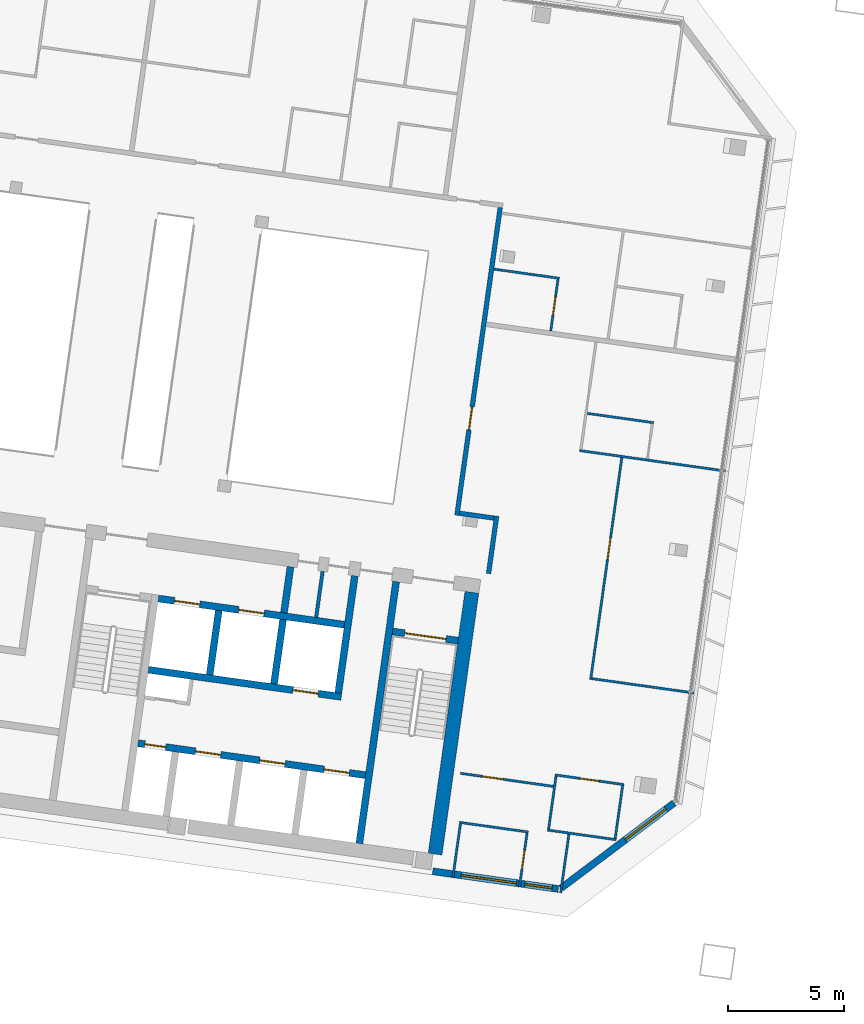
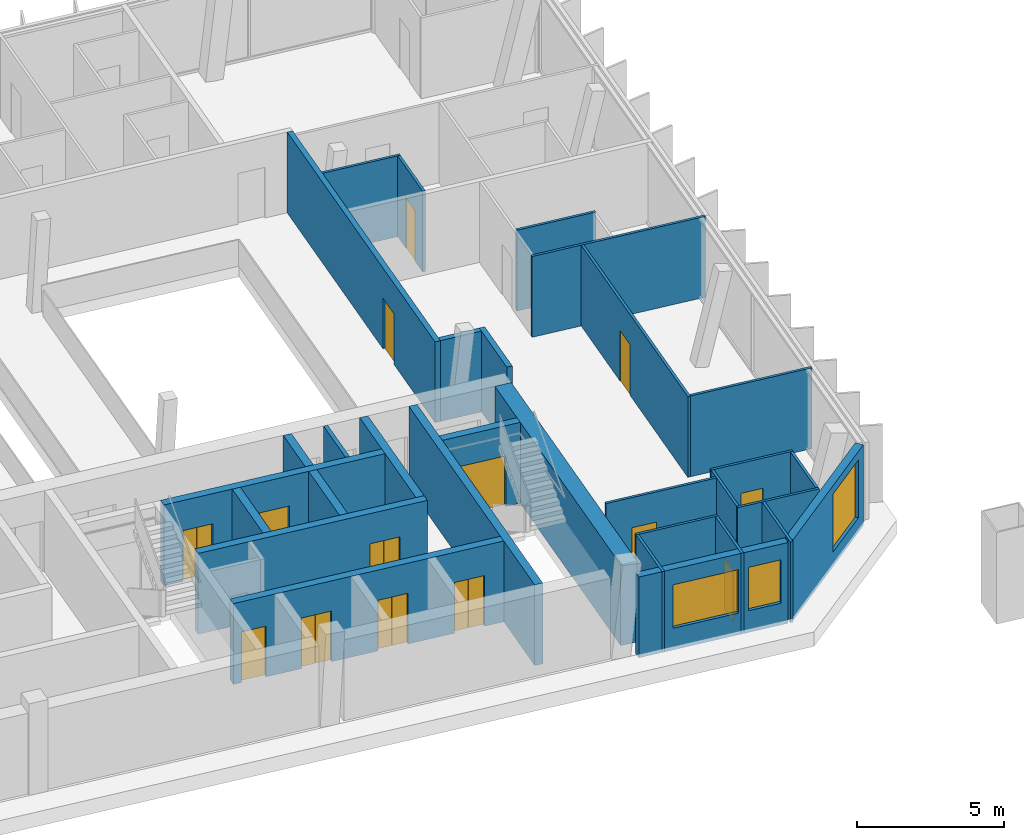
# One storey, part 16 of 26: 31 walls, 14 doors, 3 windows, 17 openings.
"""IFC4 building model written with IfcOpenShell, lengths in metres."""

from ifc_helpers import new_model, si_unit, direction, frame, frame_2d, origin, place, context, subcontext, project, spatial, rectangle, extrude, material, layer, layer_set, type_object, element, fill, save


model = new_model("IFC4")

# Units and contexts
model_context = context("Model", 3, precision=1e-05, world=origin(), true_north=direction((0.0, 1.0)))
body_context = subcontext(model_context, "Body", "Model", "MODEL_VIEW")
ifc_project = project(units=[si_unit("LENGTHUNIT", "METRE"), si_unit("AREAUNIT", "SQUARE_METRE"), si_unit("VOLUMEUNIT", "CUBIC_METRE"), si_unit("PLANEANGLEUNIT", "RADIAN"), si_unit("MASSUNIT", "GRAM", prefix="KILO")], contexts=[model_context])

# Site, building, storey
site_placement = place(None, origin())
site = spatial("IfcSite", under=ifc_project, at=site_placement, CompositionType="ELEMENT")
building_placement = place(site_placement, origin())
building = spatial("IfcBuilding", under=site, at=building_placement, Name="Mirante Cascada Hotel Towers", CompositionType="ELEMENT")
storey_placement = place(building_placement, frame((0.0, 0.0, 216.6)))
storey = spatial("IfcBuildingStorey", under=building, at=storey_placement, Name="L51", CompositionType="ELEMENT", Elevation=216.6)

# Walls
ifc_material_1 = material(Name="Fire-rated plasterboard on metal studs")
ifc_layer_1 = layer(ifc_material_1, 0.2)
ifc_layer_set_1 = layer_set([ifc_layer_1], Name="Compartment wall 200 EI 120")
wall_type_1 = type_object("IfcWallType", Name="Compartment wall 200 EI 120", PredefinedType="PARTITIONING", material=ifc_layer_set_1)
wall_1_placement = place(storey_placement, frame((-36.5138, -4.518, 0.0), z_axis=(0.0, 0.0, 1.0), x_axis=(0.9902735, -0.1391343, 0.0)))
element("IfcWall", 1, at=wall_1_placement, inside=storey, type_object=wall_type_1, Name="Wall 1-L51-09", PredefinedType="PARTITIONING", context=body_context, shape_type="SweptSolid", body=[
    extrude(rectangle(XDim=1.5, YDim=0.2, at=frame_2d((0.75, 0.0))), origin(), (0.0, 0.0, 1.0), 3.35),
])
wall_2_placement = place(storey_placement, frame((-35.2634, -7.1173, 0.0), z_axis=(0.0, 0.0, 1.0), x_axis=(0.1391586, 0.9902701, 0.0)))
element("IfcWall", 2, at=wall_2_placement, inside=storey, type_object=wall_type_1, Name="Wall 1-L51-40", PredefinedType="PARTITIONING", context=body_context, shape_type="SweptSolid", body=[
    extrude(rectangle(XDim=2.5, YDim=0.2, at=frame_2d((1.25, 0.0))), origin(), (0.0, 0.0, 1.0), 3.35),
])

# Wall, opening, door
wall_3_placement = place(storey_placement, frame((-34.7618, 8.6665, 0.0), z_axis=(0.0, 0.0, 1.0), x_axis=(-0.1391789, -0.9902673, 0.0)))
wall_3 = element("IfcWall", 3, at=wall_3_placement, inside=storey, type_object=wall_type_1, Name="Wall 1-L51-41", PredefinedType="PARTITIONING", context=body_context, shape_type="SweptSolid", body=[
    extrude(rectangle(XDim=13.4, YDim=0.2, at=frame_2d((6.7, 0.0))), origin(), (0.0, 0.0, 1.0), 3.35),
])
opening_1_placement = place(wall_3_placement, frame((8.6834, 0.0, 0.0)))
opening_1 = element("IfcOpeningElement", 4, at=opening_1_placement, cuts=wall_3, Name="Opening D1-L51-22", PredefinedType="OPENING", context=body_context, shape_type="SweptSolid", body=[
    extrude(rectangle(XDim=1.0, YDim=2.1, at=frame_2d((0.5, 1.05))), frame((0.0, 0.1, 0.0), z_axis=(0.0, -1.0, 0.0), x_axis=(1.0, 0.0, 0.0)), (0.0, 0.0, 1.0), 0.2),
])
ifc_material_2 = material(Name="Fire-rated timber door leaf", Category="wood")
door_type_1 = type_object("IfcDoorType", Name="Entrance door DG1 1000x2100 EI 60", OperationType="SINGLE_SWING_LEFT", PredefinedType="DOOR", material=ifc_material_2)
door_1_placement = place(opening_1_placement, origin())
door_1 = element("IfcDoor", 5, at=door_1_placement, inside=storey, type_object=door_type_1, Name="Door D1-L51-22", OperationType="SINGLE_SWING_LEFT", OverallHeight=2.1, OverallWidth=1.0, PredefinedType="DOOR", context=body_context, shape_type="SweptSolid", body=[
    extrude(rectangle(XDim=1.0, YDim=2.1, at=frame_2d((0.5, 1.05))), frame((0.0, 0.025, 0.0), z_axis=(0.0, -1.0, 0.0), x_axis=(1.0, 0.0, 0.0)), (0.0, 0.0, 1.0), 0.05),
])
fill(opening_1, door_1)

# Walls
ifc_material_3 = material(Name="Masonry block", Category="masonry")
ifc_layer_2 = layer(ifc_material_3, 0.15)
ifc_layer_set_2 = layer_set([ifc_layer_2], Name="Core room partition 150 block EI 30")
wall_type_2 = type_object("IfcWallType", Name="Core room partition 150 block EI 30", PredefinedType="PARTITIONING", material=ifc_layer_set_2)
wall_4_placement = place(storey_placement, frame((-42.6979, -9.0009, 0.0), z_axis=(0.0, 0.0, 1.0), x_axis=(0.1391529, 0.9902709, 0.0)))
element("IfcWall", 6, at=wall_4_placement, inside=storey, type_object=wall_type_2, Name="Core wall partition T1 L51 4", PredefinedType="PARTITIONING", context=body_context, shape_type="SweptSolid", body=[
    extrude(rectangle(XDim=2.0, YDim=0.15, at=frame_2d((1.0, 0.0))), origin(), (0.0, 0.0, 1.0), 3.35),
])
ifc_material_4 = material(Name="Masonry block", Category="masonry")
ifc_layer_3 = layer(ifc_material_4, 0.3)
ifc_layer_set_3 = layer_set([ifc_layer_3], Name="Core wall 300 block EI 120")
wall_type_3 = type_object("IfcWallType", Name="Core wall 300 block EI 120", PredefinedType="PARTITIONING", material=ifc_layer_set_3)
wall_5_placement = place(storey_placement, frame((-44.0843, -8.8061, 0.0), z_axis=(0.0, 0.0, 1.0), x_axis=(0.1391951, 0.990265, 0.0)))
element("IfcWall", 7, at=wall_5_placement, inside=storey, type_object=wall_type_3, Name="Core wall partition T1 L51 1", PredefinedType="PARTITIONING", context=body_context, shape_type="SweptSolid", body=[
    extrude(rectangle(XDim=2.0001, YDim=0.3, at=frame_2d((1.0001, 0.0))), origin(), (0.0, 0.0, 1.0), 3.35),
])
ifc_material_5 = material(Name="Plasterboard on metal studs")
ifc_layer_4 = layer(ifc_material_5, 0.1)
ifc_layer_set_4 = layer_set([ifc_layer_4], Name="Partition 100")
wall_type_4 = type_object("IfcWallType", Name="Partition 100", PredefinedType="PARTITIONING", material=ifc_layer_set_4)
for number, where, z_axis, x_axis, name in (
    (8, (-36.5189, -17.847, 0.0), (0.0, 0.0, 1.0), (0.9902689, -0.139167, 0.0), "Wall 1-L51-01"),
    (9, (-29.7594, -18.595, 0.0), (0.0, 0.0, 1.0), (-0.9902689, 0.139167, 0.0), "Wall 1-L51-02"),
):
    element("IfcWall", number, at=place(storey_placement, frame(where, z_axis=z_axis, x_axis=x_axis)), inside=storey, type_object=wall_type_4, Name=name, PredefinedType="PARTITIONING", context=body_context, shape_type="SweptSolid", body=[
        extrude(rectangle(XDim=3.0, YDim=0.1, at=frame_2d((1.5, 0.0))), origin(), (0.0, 0.0, 1.0), 3.35),
    ])

# Wall, opening, door
wall_6_placement = place(storey_placement, frame((-36.4742, -15.7326, 0.0), z_axis=(0.0, 0.0, 1.0), x_axis=(0.9902662, -0.1391867, 0.0)))
wall_6 = element("IfcWall", 10, at=wall_6_placement, inside=storey, type_object=wall_type_4, Name="Wall 1-L51-03", PredefinedType="PARTITIONING", context=body_context, shape_type="SweptSolid", body=[
    extrude(rectangle(XDim=4.0478, YDim=0.1, at=frame_2d((2.0239, 0.0))), origin(), (0.0, 0.0, 1.0), 3.35),
])
opening_2_placement = place(wall_6_placement, frame((0.9489, 0.0, 0.0)))
opening_2 = element("IfcOpeningElement", 11, at=opening_2_placement, cuts=wall_6, Name="Opening D1-L51-01", PredefinedType="OPENING", context=body_context, shape_type="SweptSolid", body=[
    extrude(rectangle(XDim=0.9, YDim=2.1, at=frame_2d((0.45, 1.05))), frame((0.0, 0.05, 0.0), z_axis=(0.0, -1.0, 0.0), x_axis=(1.0, 0.0, 0.0)), (0.0, 0.0, 1.0), 0.1),
])
ifc_material_6 = material(Name="Timber door leaf", Category="wood")
door_type_2 = type_object("IfcDoorType", Name="Room door DG3 900x2100", OperationType="SINGLE_SWING_LEFT", PredefinedType="DOOR", material=ifc_material_6)
door_2_placement = place(opening_2_placement, origin())
door_2 = element("IfcDoor", 12, at=door_2_placement, inside=storey, type_object=door_type_2, Name="Door D1-L51-01", OperationType="SINGLE_SWING_LEFT", OverallHeight=2.1, OverallWidth=0.9, PredefinedType="DOOR", context=body_context, shape_type="SweptSolid", body=[
    extrude(rectangle(XDim=0.9, YDim=2.1, at=frame_2d((0.45, 1.05))), frame((0.0, 0.025, 0.0), z_axis=(0.0, -1.0, 0.0), x_axis=(1.0, 0.0, 0.0)), (0.0, 0.0, 1.0), 0.05),
])
fill(opening_2, door_2)

wall_7_placement = place(storey_placement, frame((-29.4254, -16.2183, 0.0), z_axis=(0.0, 0.0, 1.0), x_axis=(-0.9902689, 0.139167, 0.0)))
wall_7 = element("IfcWall", 13, at=wall_7_placement, inside=storey, type_object=wall_type_4, Name="Wall 1-L51-04", PredefinedType="PARTITIONING", context=body_context, shape_type="SweptSolid", body=[
    extrude(rectangle(XDim=3.0, YDim=0.1, at=frame_2d((1.5, 0.0))), origin(), (0.0, 0.0, 1.0), 3.35),
])
opening_3_placement = place(wall_7_placement, frame((1.1, 0.0, 0.0)))
opening_3 = element("IfcOpeningElement", 14, at=opening_3_placement, cuts=wall_7, Name="Opening D1-L51-02", PredefinedType="OPENING", context=body_context, shape_type="SweptSolid", body=[
    extrude(rectangle(XDim=0.8, YDim=2.1, at=frame_2d((0.4, 1.05))), frame((0.0, 0.05, 0.0), z_axis=(0.0, -1.0, 0.0), x_axis=(1.0, 0.0, 0.0)), (0.0, 0.0, 1.0), 0.1),
])
ifc_material_7 = material(Name="Timber door leaf", Category="wood")
door_type_3 = type_object("IfcDoorType", Name="Bathroom door DG4 800x2100", OperationType="SINGLE_SWING_LEFT", PredefinedType="DOOR", material=ifc_material_7)
door_3_placement = place(opening_3_placement, frame((0.8, 0.0, 0.0), z_axis=(0.0, 0.0, 1.0), x_axis=(-1.0, 0.0, 0.0)))
door_3 = element("IfcDoor", 15, at=door_3_placement, inside=storey, type_object=door_type_3, Name="Door D1-L51-02", OperationType="SINGLE_SWING_RIGHT", OverallHeight=2.1, OverallWidth=0.8, PredefinedType="DOOR", context=body_context, shape_type="SweptSolid", body=[
    extrude(rectangle(XDim=0.8, YDim=2.1, at=frame_2d((0.4, 1.05))), frame((0.0, 0.025, 0.0), z_axis=(0.0, -1.0, 0.0), x_axis=(1.0, 0.0, 0.0)), (0.0, 0.0, 1.0), 0.05),
])
fill(opening_3, door_3)

# Walls
wall_8_placement = place(storey_placement, frame((-30.8051, -11.6486, 0.0), z_axis=(0.0, 0.0, 1.0), x_axis=(0.9902687, -0.1391684, 0.0)))
element("IfcWall", 16, at=wall_8_placement, inside=storey, type_object=wall_type_4, Name="Wall 1-L51-07", PredefinedType="PARTITIONING", context=body_context, shape_type="SweptSolid", body=[
    extrude(rectangle(XDim=4.45, YDim=0.1, at=frame_2d((2.225, 0.0))), origin(), (0.0, 0.0, 1.0), 3.35),
])
wall_9_placement = place(storey_placement, frame((-25.053, -2.6953, 0.0), z_axis=(0.0, 0.0, 1.0), x_axis=(-0.9902669, 0.1391817, 0.0)))
element("IfcWall", 17, at=wall_9_placement, inside=storey, type_object=wall_type_4, Name="Wall 1-L51-10", PredefinedType="PARTITIONING", context=body_context, shape_type="SweptSolid", body=[
    extrude(rectangle(XDim=6.3457, YDim=0.1, at=frame_2d((3.1728, 0.0))), origin(), (0.0, 0.0, 1.0), 3.35),
])
wall_10_placement = place(storey_placement, frame((-31.0105, -0.2086, 0.0), z_axis=(0.0, 0.0, 1.0), x_axis=(0.9902674, -0.1391776, 0.0)))
element("IfcWall", 18, at=wall_10_placement, inside=storey, type_object=wall_type_4, Name="Wall 1-L51-13", PredefinedType="PARTITIONING", context=body_context, shape_type="SweptSolid", body=[
    extrude(rectangle(XDim=2.8956, YDim=0.1, at=frame_2d((1.4478, 0.0))), origin(), (0.0, 0.0, 1.0), 3.35),
])
wall_11_placement = place(storey_placement, frame((-35.034, 6.0119, 0.0), z_axis=(0.0, 0.0, 1.0), x_axis=(0.9902656, -0.1391909, 0.0)))
element("IfcWall", 19, at=wall_11_placement, inside=storey, type_object=wall_type_4, Name="Wall 1-L51-17", PredefinedType="PARTITIONING", context=body_context, shape_type="SweptSolid", body=[
    extrude(rectangle(XDim=2.85, YDim=0.1, at=frame_2d((1.425, 0.0))), origin(), (0.0, 0.0, 1.0), 3.35),
])
wall_12_placement = place(storey_placement, frame((-29.802, -18.5385, 0.0), z_axis=(0.0, 0.0, 1.0), x_axis=(0.1391749, 0.9902678, 0.0)))
element("IfcWall", 20, at=wall_12_placement, inside=storey, type_object=wall_type_4, Name="Wall 1-L51-28", PredefinedType="PARTITIONING", context=body_context, shape_type="SweptSolid", body=[
    extrude(rectangle(XDim=2.3, YDim=0.1, at=frame_2d((1.15, 0.0))), origin(), (0.0, 0.0, 1.0), 3.35),
])
wall_13_placement = place(storey_placement, frame((-31.7986, -18.3589, 0.0), z_axis=(0.0, 0.0, 1.0), x_axis=(-0.1391755, -0.9902677, 0.0)))
element("IfcWall", 21, at=wall_13_placement, inside=storey, type_object=wall_type_4, Name="Wall 1-L51-31", PredefinedType="PARTITIONING", context=body_context, shape_type="SweptSolid", body=[
    extrude(rectangle(XDim=2.55, YDim=0.1, at=frame_2d((1.275, 0.0))), origin(), (0.0, 0.0, 1.0), 3.35),
])

# Wall, opening, door
wall_14_placement = place(storey_placement, frame((-30.8615, -11.6911, 0.0), z_axis=(0.0, 0.0, 1.0), x_axis=(0.1391689, 0.9902687, 0.0)))
wall_14 = element("IfcWall", 22, at=wall_14_placement, inside=storey, type_object=wall_type_4, Name="Wall 1-L51-32", PredefinedType="PARTITIONING", context=body_context, shape_type="SweptSolid", body=[
    extrude(rectangle(XDim=9.6667, YDim=0.1, at=frame_2d((4.8334, 0.0))), origin(), (0.0, 0.0, 1.0), 3.35),
])
opening_4_placement = place(wall_14_placement, frame((5.25, 0.0, 0.0)))
opening_4 = element("IfcOpeningElement", 23, at=opening_4_placement, cuts=wall_14, Name="Opening D1-L51-17", PredefinedType="OPENING", context=body_context, shape_type="SweptSolid", body=[
    extrude(rectangle(XDim=0.9, YDim=2.1, at=frame_2d((0.45, 1.05))), frame((0.0, 0.05, 0.0), z_axis=(0.0, -1.0, 0.0), x_axis=(1.0, 0.0, 0.0)), (0.0, 0.0, 1.0), 0.1),
])
door_4_placement = place(opening_4_placement, origin())
door_4 = element("IfcDoor", 24, at=door_4_placement, inside=storey, type_object=door_type_2, Name="Door D1-L51-17", OperationType="SINGLE_SWING_LEFT", OverallHeight=2.1, OverallWidth=0.9, PredefinedType="DOOR", context=body_context, shape_type="SweptSolid", body=[
    extrude(rectangle(XDim=0.9, YDim=2.1, at=frame_2d((0.45, 1.05))), frame((0.0, 0.025, 0.0), z_axis=(0.0, -1.0, 0.0), x_axis=(1.0, 0.0, 0.0)), (0.0, 0.0, 1.0), 0.05),
])
fill(opening_4, door_4)

# Wall
wall_15_placement = place(storey_placement, frame((-32.6738, -18.1349, 0.0), z_axis=(0.0, 0.0, 1.0), x_axis=(0.1391749, 0.9902678, 0.0)))
element("IfcWall", 25, at=wall_15_placement, inside=storey, type_object=wall_type_4, Name="Wall 1-L51-34", PredefinedType="PARTITIONING", context=body_context, shape_type="SweptSolid", body=[
    extrude(rectangle(XDim=2.3, YDim=0.1, at=frame_2d((1.15, 0.0))), origin(), (0.0, 0.0, 1.0), 3.35),
])

# Wall, opening, door
wall_16_placement = place(storey_placement, frame((-33.9316, -20.6342, 0.0), z_axis=(0.0, 0.0, 1.0), x_axis=(0.1391453, 0.990272, 0.0)))
wall_16 = element("IfcWall", 26, at=wall_16_placement, inside=storey, type_object=wall_type_4, Name="Wall 1-L51-36", PredefinedType="PARTITIONING", context=body_context, shape_type="SweptSolid", body=[
    extrude(rectangle(XDim=2.3501, YDim=0.1, at=frame_2d((1.175, 0.0))), origin(), (0.0, 0.0, 1.0), 3.35),
])
opening_5_placement = place(wall_16_placement, frame((0.8, 0.0, 0.0)))
opening_5 = element("IfcOpeningElement", 27, at=opening_5_placement, cuts=wall_16, Name="Opening D1-L51-19", PredefinedType="OPENING", context=body_context, shape_type="SweptSolid", body=[
    extrude(rectangle(XDim=0.8, YDim=2.1, at=frame_2d((0.4, 1.05))), frame((0.0, 0.05, 0.0), z_axis=(0.0, -1.0, 0.0), x_axis=(1.0, 0.0, 0.0)), (0.0, 0.0, 1.0), 0.1),
])
door_5_placement = place(opening_5_placement, frame((0.8, 0.0, 0.0), z_axis=(0.0, 0.0, 1.0), x_axis=(-1.0, 0.0, 0.0)))
door_5 = element("IfcDoor", 28, at=door_5_placement, inside=storey, type_object=door_type_3, Name="Door D1-L51-19", OperationType="SINGLE_SWING_RIGHT", OverallHeight=2.1, OverallWidth=0.8, PredefinedType="DOOR", context=body_context, shape_type="SweptSolid", body=[
    extrude(rectangle(XDim=0.8, YDim=2.1, at=frame_2d((0.4, 1.05))), frame((0.0, 0.025, 0.0), z_axis=(0.0, -1.0, 0.0), x_axis=(1.0, 0.0, 0.0)), (0.0, 0.0, 1.0), 0.05),
])
fill(opening_5, door_5)

wall_17_placement = place(storey_placement, frame((-32.5813, 3.3446, 0.0), z_axis=(0.0, 0.0, 1.0), x_axis=(0.1391561, 0.9902705, 0.0)))
wall_17 = element("IfcWall", 29, at=wall_17_placement, inside=storey, type_object=wall_type_4, Name="Wall 1-L51-38", PredefinedType="PARTITIONING", context=body_context, shape_type="SweptSolid", body=[
    extrude(rectangle(XDim=2.25, YDim=0.1, at=frame_2d((1.125, 0.0))), origin(), (0.0, 0.0, 1.0), 3.35),
])
opening_6_placement = place(wall_17_placement, frame((0.7, 0.0, 0.0)))
opening_6 = element("IfcOpeningElement", 30, at=opening_6_placement, cuts=wall_17, Name="Opening D1-L51-21", PredefinedType="OPENING", context=body_context, shape_type="SweptSolid", body=[
    extrude(rectangle(XDim=0.8, YDim=2.1, at=frame_2d((0.4, 1.05))), frame((0.0, 0.05, 0.0), z_axis=(0.0, -1.0, 0.0), x_axis=(1.0, 0.0, 0.0)), (0.0, 0.0, 1.0), 0.1),
])
door_6_placement = place(opening_6_placement, origin())
door_6 = element("IfcDoor", 31, at=door_6_placement, inside=storey, type_object=door_type_3, Name="Door D1-L51-21", OperationType="SINGLE_SWING_LEFT", OverallHeight=2.1, OverallWidth=0.8, PredefinedType="DOOR", context=body_context, shape_type="SweptSolid", body=[
    extrude(rectangle(XDim=0.8, YDim=2.1, at=frame_2d((0.4, 1.05))), frame((0.0, 0.025, 0.0), z_axis=(0.0, -1.0, 0.0), x_axis=(1.0, 0.0, 0.0)), (0.0, 0.0, 1.0), 0.05),
])
fill(opening_6, door_6)

# Wall
wall_18_placement = place(storey_placement, frame((-36.4764, -17.9034, 0.0), z_axis=(0.0, 0.0, 1.0), x_axis=(-0.1391453, -0.990272, 0.0)))
element("IfcWall", 32, at=wall_18_placement, inside=storey, type_object=wall_type_4, Name="Wall 1-L51-39", PredefinedType="PARTITIONING", context=body_context, shape_type="SweptSolid", body=[
    extrude(rectangle(XDim=2.3501, YDim=0.1, at=frame_2d((1.175, 0.0))), origin(), (0.0, 0.0, 1.0), 3.35),
])

# Wall, openings, windows
ifc_material_8 = material(Name="Precast concrete C40/50", Category="concrete")
ifc_layer_5 = layer(ifc_material_8, 0.3)
ifc_layer_set_5 = layer_set([ifc_layer_5], Name="Precast concrete C40/50 cladding wall 300")
wall_type_5 = type_object("IfcWallType", Name="Precast concrete C40/50 cladding wall 300", PredefinedType="STANDARD", material=ifc_layer_set_5)
wall_19_placement = place(storey_placement, frame((-32.2556, -20.7182, 0.0), z_axis=(0.0, 0.0, 1.0), x_axis=(-0.99027, 0.1391591, 0.0)))
wall_19 = element("IfcWall", 33, at=wall_19_placement, inside=storey, type_object=wall_type_5, Name="Rear cladding wall T1 L51 1", PredefinedType="STANDARD", context=body_context, shape_type="SweptSolid", body=[
    extrude(rectangle(XDim=5.4714, YDim=0.3, at=frame_2d((2.7357, 0.0))), origin(), (0.0, 0.0, 1.0), 3.35),
])
opening_7_placement = place(wall_19_placement, frame((1.8214, 0.0, 0.9)))
opening_7 = element("IfcOpeningElement", 34, at=opening_7_placement, cuts=wall_19, Name="Opening W1-51-01", PredefinedType="OPENING", context=body_context, shape_type="SweptSolid", body=[
    extrude(rectangle(XDim=2.4, YDim=1.8, at=frame_2d((1.2, 0.9))), frame((0.0, 0.15, 0.0), z_axis=(0.0, -1.0, 0.0), x_axis=(1.0, 0.0, 0.0)), (0.0, 0.0, 1.0), 0.3),
])
opening_8_placement = place(wall_19_placement, frame((0.2607, 0.0, 0.9)))
opening_8 = element("IfcOpeningElement", 35, at=opening_8_placement, cuts=wall_19, Name="Opening W1-51-06", PredefinedType="OPENING", context=body_context, shape_type="SweptSolid", body=[
    extrude(rectangle(XDim=1.2, YDim=1.8, at=frame_2d((0.6, 0.9))), frame((0.0, 0.15, 0.0), z_axis=(0.0, -1.0, 0.0), x_axis=(1.0, 0.0, 0.0)), (0.0, 0.0, 1.0), 0.3),
])
ifc_material_9 = material(Name="Aluminium frame with clear double glazing", Category="aluminium")
window_type_1 = type_object("IfcWindowType", Name="Punched window 1200x1800", PartitioningType="DOUBLE_PANEL_VERTICAL", PredefinedType="WINDOW", material=ifc_material_9)
window_1_placement = place(opening_8_placement, origin())
window_1 = element("IfcWindow", 36, at=window_1_placement, inside=storey, type_object=window_type_1, Name="Window W1-51-06", OverallHeight=1.8, OverallWidth=1.2, PartitioningType="SINGLE_PANEL", PredefinedType="WINDOW", context=body_context, shape_type="SweptSolid", body=[
    extrude(rectangle(XDim=1.2, YDim=1.8, at=frame_2d((0.6, 0.9))), frame((0.0, 0.03, 0.0), z_axis=(0.0, -1.0, 0.0), x_axis=(1.0, 0.0, 0.0)), (0.0, 0.0, 1.0), 0.06),
])
fill(opening_8, window_1)
ifc_material_10 = material(Name="Aluminium frame with clear double glazing", Category="aluminium")
window_type_2 = type_object("IfcWindowType", Name="Punched window 2400x1800", PartitioningType="DOUBLE_PANEL_VERTICAL", PredefinedType="WINDOW", material=ifc_material_10)
window_2_placement = place(opening_7_placement, origin())
window_2 = element("IfcWindow", 37, at=window_2_placement, inside=storey, type_object=window_type_2, Name="Window W1-51-01", OverallHeight=1.8, OverallWidth=2.4, PartitioningType="SINGLE_PANEL", PredefinedType="WINDOW", context=body_context, shape_type="SweptSolid", body=[
    extrude(rectangle(XDim=2.4, YDim=1.8, at=frame_2d((1.2, 0.9))), frame((0.0, 0.03, 0.0), z_axis=(0.0, -1.0, 0.0), x_axis=(1.0, 0.0, 0.0)), (0.0, 0.0, 1.0), 0.06),
])
fill(opening_7, window_2)

# Wall, opening, window
wall_20_placement = place(storey_placement, frame((-27.2605, -17.009, 0.0), z_axis=(0.0, 0.0, 1.0), x_axis=(-0.7986283, -0.6018245, 0.0)))
wall_20 = element("IfcWall", 38, at=wall_20_placement, inside=storey, type_object=wall_type_5, Name="Corner cladding wall T1 L51 inner rear", PredefinedType="STANDARD", context=body_context, shape_type="SweptSolid", body=[
    extrude(rectangle(XDim=6.1157, YDim=0.3, at=frame_2d((3.0578, 0.0))), origin(), (0.0, 0.0, 1.0), 3.35),
])
opening_9_placement = place(wall_20_placement, frame((0.4375, 0.0, 0.6)))
opening_9 = element("IfcOpeningElement", 39, at=opening_9_placement, cuts=wall_20, Name="Opening W1-51-05", PredefinedType="OPENING", context=body_context, shape_type="SweptSolid", body=[
    extrude(rectangle(XDim=2.2, YDim=2.4, at=frame_2d((1.1, 1.2))), frame((0.0, 0.15, 0.0), z_axis=(0.0, -1.0, 0.0), x_axis=(1.0, 0.0, 0.0)), (0.0, 0.0, 1.0), 0.3),
])
ifc_material_11 = material(Name="Aluminium frame with clear double glazing", Category="aluminium")
window_type_3 = type_object("IfcWindowType", Name="Corner suite window 2200x2400", PartitioningType="DOUBLE_PANEL_VERTICAL", PredefinedType="WINDOW", material=ifc_material_11)
window_3_placement = place(opening_9_placement, origin())
window_3 = element("IfcWindow", 40, at=window_3_placement, inside=storey, type_object=window_type_3, Name="Window W1-51-05", OverallHeight=2.4, OverallWidth=2.2, PartitioningType="SINGLE_PANEL", PredefinedType="WINDOW", context=body_context, shape_type="SweptSolid", body=[
    extrude(rectangle(XDim=2.2, YDim=2.4, at=frame_2d((1.1, 1.2))), frame((0.0, 0.03, 0.0), z_axis=(0.0, -1.0, 0.0), x_axis=(1.0, 0.0, 0.0)), (0.0, 0.0, 1.0), 0.06),
])
fill(opening_9, window_3)

# Wall
ifc_material_12 = material(Name="Concrete C50/60", Category="concrete")
ifc_layer_6 = layer(ifc_material_12, 0.3)
ifc_layer_set_6 = layer_set([ifc_layer_6], Name="RC core wall 300 C50/60")
wall_type_6 = type_object("IfcWallType", Name="RC core wall 300 C50/60", PredefinedType="SHEAR", material=ifc_layer_set_6)
wall_21_placement = place(storey_placement, frame((-40.8373, -18.7548, 0.0), z_axis=(0.0, 0.0, 1.0), x_axis=(0.1391749, 0.9902678, 0.0)))
element("IfcWall", 41, at=wall_21_placement, inside=storey, type_object=wall_type_6, Name="Core wall T1:L51:5", PredefinedType="SHEAR", context=body_context, shape_type="SweptSolid", body=[
    extrude(rectangle(XDim=11.4, YDim=0.3, at=frame_2d((5.7, 0.0))), origin(), (0.0, 0.0, 1.0), 3.35),
])

# Wall, opening, door
wall_22_placement = place(storey_placement, frame((-36.5791, -10.0123, 0.0), z_axis=(0.0, 0.0, 1.0), x_axis=(-0.9902704, 0.1391564, 0.0)))
wall_22 = element("IfcWall", 42, at=wall_22_placement, inside=storey, type_object=wall_type_6, Name="Core wall T1:L51:8", PredefinedType="SHEAR", context=body_context, shape_type="SweptSolid", body=[
    extrude(rectangle(XDim=2.85, YDim=0.3, at=frame_2d((1.425, 0.0))), origin(), (0.0, 0.0, 1.0), 3.35),
])
opening_10_placement = place(wall_22_placement, frame((0.525, 0.0, 0.0)))
opening_10 = element("IfcOpeningElement", 43, at=opening_10_placement, cuts=wall_22, Name="Opening D1-51-C07", PredefinedType="OPENING", context=body_context, shape_type="SweptSolid", body=[
    extrude(rectangle(XDim=1.8, YDim=2.1, at=frame_2d((0.9, 1.05))), frame((0.0, 0.15, 0.0), z_axis=(0.0, -1.0, 0.0), x_axis=(1.0, 0.0, 0.0)), (0.0, 0.0, 1.0), 0.3),
])
ifc_material_13 = material(Name="Hollow metal fire door leaf")
door_type_4 = type_object("IfcDoorType", Name="Double fire door 1800x2100 FD60", OperationType="DOUBLE_DOOR_SINGLE_SWING", PredefinedType="DOOR", material=ifc_material_13)
door_7_placement = place(opening_10_placement, origin())
door_7 = element("IfcDoor", 44, at=door_7_placement, inside=storey, type_object=door_type_4, Name="Stair door T1 L51 7", OperationType="DOUBLE_DOOR_SINGLE_SWING", OverallHeight=2.1, OverallWidth=1.8, PredefinedType="DOOR", context=body_context, shape_type="SweptSolid", body=[
    extrude(rectangle(XDim=0.895, YDim=2.1, at=frame_2d((0.4475, 1.05))), frame((0.0, 0.025, 0.0), z_axis=(0.0, -1.0, 0.0), x_axis=(1.0, 0.0, 0.0)), (0.0, 0.0, 1.0), 0.05),
    extrude(rectangle(XDim=0.895, YDim=2.1, at=frame_2d((1.3525, 1.05))), frame((0.0, 0.025, 0.0), z_axis=(0.0, -1.0, 0.0), x_axis=(1.0, 0.0, 0.0)), (0.0, 0.0, 1.0), 0.05),
])
fill(opening_10, door_7)

# Wall, openings, doors
wall_23_placement = place(storey_placement, frame((-40.5753, -15.8126, 0.0), z_axis=(0.0, 0.0, 1.0), x_axis=(-0.9902682, 0.1391725, 0.0)))
wall_23 = element("IfcWall", 45, at=wall_23_placement, inside=storey, type_object=wall_type_6, Name="Core wall T1:L51:10", PredefinedType="SHEAR", context=body_context, shape_type="SweptSolid", body=[
    extrude(rectangle(XDim=9.8999, YDim=0.3, at=frame_2d((4.95, 0.0))), origin(), (0.0, 0.0, 1.0), 3.35),
])
opening_11_placement = place(wall_23_placement, frame((0.7, 0.0, 0.0)))
opening_11 = element("IfcOpeningElement", 46, at=opening_11_placement, cuts=wall_23, Name="Opening LD", PredefinedType="OPENING", context=body_context, shape_type="SweptSolid", body=[
    extrude(rectangle(XDim=1.1, YDim=2.1, at=frame_2d((0.55, 1.05))), frame((0.0, 0.15, 0.0), z_axis=(0.0, -1.0, 0.0), x_axis=(1.0, 0.0, 0.0)), (0.0, 0.0, 1.0), 0.3),
])
opening_12_placement = place(wall_23_placement, frame((3.5, 0.0, 0.0)))
opening_12 = element("IfcOpeningElement", 47, at=opening_12_placement, cuts=wall_23, Name="Opening LD", PredefinedType="OPENING", context=body_context, shape_type="SweptSolid", body=[
    extrude(rectangle(XDim=1.1, YDim=2.1, at=frame_2d((0.55, 1.05))), frame((0.0, 0.15, 0.0), z_axis=(0.0, -1.0, 0.0), x_axis=(1.0, 0.0, 0.0)), (0.0, 0.0, 1.0), 0.3),
])
opening_13_placement = place(wall_23_placement, frame((6.3, 0.0, 0.0)))
opening_13 = element("IfcOpeningElement", 48, at=opening_13_placement, cuts=wall_23, Name="Opening LD", PredefinedType="OPENING", context=body_context, shape_type="SweptSolid", body=[
    extrude(rectangle(XDim=1.1, YDim=2.1, at=frame_2d((0.55, 1.05))), frame((0.0, 0.15, 0.0), z_axis=(0.0, -1.0, 0.0), x_axis=(1.0, 0.0, 0.0)), (0.0, 0.0, 1.0), 0.3),
])
opening_14_placement = place(wall_23_placement, frame((8.7, 0.0, 0.0)))
opening_14 = element("IfcOpeningElement", 49, at=opening_14_placement, cuts=wall_23, Name="Opening D1-51-C14", PredefinedType="OPENING", context=body_context, shape_type="SweptSolid", body=[
    extrude(rectangle(XDim=0.9, YDim=2.1, at=frame_2d((0.45, 1.05))), frame((0.0, 0.15, 0.0), z_axis=(0.0, -1.0, 0.0), x_axis=(1.0, 0.0, 0.0)), (0.0, 0.0, 1.0), 0.3),
])
ifc_material_14 = material(Name="Hollow metal fire door leaf")
door_type_5 = type_object("IfcDoorType", Name="Fire door 900x2100 FD60", OperationType="NOTDEFINED", PredefinedType="DOOR", material=ifc_material_14)
door_8_placement = place(opening_14_placement, origin())
door_8 = element("IfcDoor", 50, at=door_8_placement, inside=storey, type_object=door_type_5, Name="Riser door T1 L51 14", OperationType="SINGLE_SWING_LEFT", OverallHeight=2.1, OverallWidth=0.9, PredefinedType="DOOR", context=body_context, shape_type="SweptSolid", body=[
    extrude(rectangle(XDim=0.9, YDim=2.1, at=frame_2d((0.45, 1.05))), frame((0.0, 0.025, 0.0), z_axis=(0.0, -1.0, 0.0), x_axis=(1.0, 0.0, 0.0)), (0.0, 0.0, 1.0), 0.05),
])
fill(opening_14, door_8)
ifc_material_15 = material(Name="Stainless steel", Category="steel")
door_type_6 = type_object("IfcDoorType", Name="Lift landing door 1100x2100 EI 120", OperationType="DOUBLE_DOOR_SLIDING", PredefinedType="DOOR", material=ifc_material_15)
door_9_placement = place(opening_11_placement, origin())
door_9 = element("IfcDoor", 51, at=door_9_placement, inside=storey, type_object=door_type_6, Name="Lift landing door HR1-1 L51", OperationType="DOUBLE_DOOR_SLIDING", OverallHeight=2.1, OverallWidth=1.1, PredefinedType="DOOR", context=body_context, shape_type="SweptSolid", body=[
    extrude(rectangle(XDim=0.545, YDim=2.1, at=frame_2d((0.2725, 1.05))), frame((0.0, 0.025, 0.0), z_axis=(0.0, -1.0, 0.0), x_axis=(1.0, 0.0, 0.0)), (0.0, 0.0, 1.0), 0.05),
    extrude(rectangle(XDim=0.545, YDim=2.1, at=frame_2d((0.8275, 1.05))), frame((0.0, 0.025, 0.0), z_axis=(0.0, -1.0, 0.0), x_axis=(1.0, 0.0, 0.0)), (0.0, 0.0, 1.0), 0.05),
])
fill(opening_11, door_9)
door_10_placement = place(opening_12_placement, origin())
door_10 = element("IfcDoor", 52, at=door_10_placement, inside=storey, type_object=door_type_6, Name="Lift landing door HR1-2 L51", OperationType="DOUBLE_DOOR_SLIDING", OverallHeight=2.1, OverallWidth=1.1, PredefinedType="DOOR", context=body_context, shape_type="SweptSolid", body=[
    extrude(rectangle(XDim=0.545, YDim=2.1, at=frame_2d((0.2725, 1.05))), frame((0.0, 0.025, 0.0), z_axis=(0.0, -1.0, 0.0), x_axis=(1.0, 0.0, 0.0)), (0.0, 0.0, 1.0), 0.05),
    extrude(rectangle(XDim=0.545, YDim=2.1, at=frame_2d((0.8275, 1.05))), frame((0.0, 0.025, 0.0), z_axis=(0.0, -1.0, 0.0), x_axis=(1.0, 0.0, 0.0)), (0.0, 0.0, 1.0), 0.05),
])
fill(opening_12, door_10)
door_11_placement = place(opening_13_placement, origin())
door_11 = element("IfcDoor", 53, at=door_11_placement, inside=storey, type_object=door_type_6, Name="Lift landing door HR1-3 L51", OperationType="DOUBLE_DOOR_SLIDING", OverallHeight=2.1, OverallWidth=1.1, PredefinedType="DOOR", context=body_context, shape_type="SweptSolid", body=[
    extrude(rectangle(XDim=0.545, YDim=2.1, at=frame_2d((0.2725, 1.05))), frame((0.0, 0.025, 0.0), z_axis=(0.0, -1.0, 0.0), x_axis=(1.0, 0.0, 0.0)), (0.0, 0.0, 1.0), 0.05),
    extrude(rectangle(XDim=0.545, YDim=2.1, at=frame_2d((0.8275, 1.05))), frame((0.0, 0.025, 0.0), z_axis=(0.0, -1.0, 0.0), x_axis=(1.0, 0.0, 0.0)), (0.0, 0.0, 1.0), 0.05),
])
fill(opening_13, door_11)

# Wall, opening, door
wall_24_placement = place(storey_placement, frame((-41.6153, -12.435, 0.0), z_axis=(0.0, 0.0, 1.0), x_axis=(-0.9902691, 0.139166, 0.0)))
wall_24 = element("IfcWall", 54, at=wall_24_placement, inside=storey, type_object=wall_type_6, Name="Core wall T1:L51:11", PredefinedType="SHEAR", context=body_context, shape_type="SweptSolid", body=[
    extrude(rectangle(XDim=8.4, YDim=0.3, at=frame_2d((4.2, 0.0))), origin(), (0.0, 0.0, 1.0), 3.35),
])
opening_15_placement = place(wall_24_placement, frame((1.0, 0.0, 0.0)))
opening_15 = element("IfcOpeningElement", 55, at=opening_15_placement, cuts=wall_24, Name="Opening LD", PredefinedType="OPENING", context=body_context, shape_type="SweptSolid", body=[
    extrude(rectangle(XDim=1.1, YDim=2.1, at=frame_2d((0.55, 1.05))), frame((0.0, 0.15, 0.0), z_axis=(0.0, -1.0, 0.0), x_axis=(1.0, 0.0, 0.0)), (0.0, 0.0, 1.0), 0.3),
])
door_12_placement = place(opening_15_placement, origin())
door_12 = element("IfcDoor", 56, at=door_12_placement, inside=storey, type_object=door_type_6, Name="Lift landing door HR1-4 L51", OperationType="DOUBLE_DOOR_SLIDING", OverallHeight=2.1, OverallWidth=1.1, PredefinedType="DOOR", context=body_context, shape_type="SweptSolid", body=[
    extrude(rectangle(XDim=0.545, YDim=2.1, at=frame_2d((0.2725, 1.05))), frame((0.0, 0.025, 0.0), z_axis=(0.0, -1.0, 0.0), x_axis=(1.0, 0.0, 0.0)), (0.0, 0.0, 1.0), 0.05),
    extrude(rectangle(XDim=0.545, YDim=2.1, at=frame_2d((0.8275, 1.05))), frame((0.0, 0.025, 0.0), z_axis=(0.0, -1.0, 0.0), x_axis=(1.0, 0.0, 0.0)), (0.0, 0.0, 1.0), 0.05),
])
fill(opening_15, door_12)

# Wall, openings, doors
wall_25_placement = place(storey_placement, frame((-41.481, -9.3234, 0.0), z_axis=(0.0, 0.0, 1.0), x_axis=(-0.9902679, 0.1391741, 0.0)))
wall_25 = element("IfcWall", 57, at=wall_25_placement, inside=storey, type_object=wall_type_6, Name="Core wall T1:L51:12", PredefinedType="SHEAR", context=body_context, shape_type="SweptSolid", body=[
    extrude(rectangle(XDim=8.0999, YDim=0.3, at=frame_2d((4.05, 0.0))), origin(), (0.0, 0.0, 1.0), 3.35),
])
opening_16_placement = place(wall_25_placement, frame((3.5, 0.0, 0.0)))
opening_16 = element("IfcOpeningElement", 58, at=opening_16_placement, cuts=wall_25, Name="Opening LD", PredefinedType="OPENING", context=body_context, shape_type="SweptSolid", body=[
    extrude(rectangle(XDim=1.1, YDim=2.1, at=frame_2d((0.55, 1.05))), frame((0.0, 0.15, 0.0), z_axis=(0.0, -1.0, 0.0), x_axis=(1.0, 0.0, 0.0)), (0.0, 0.0, 1.0), 0.3),
])
opening_17_placement = place(wall_25_placement, frame((6.3, 0.0, 0.0)))
opening_17 = element("IfcOpeningElement", 59, at=opening_17_placement, cuts=wall_25, Name="Opening LD", PredefinedType="OPENING", context=body_context, shape_type="SweptSolid", body=[
    extrude(rectangle(XDim=1.1, YDim=2.1, at=frame_2d((0.55, 1.05))), frame((0.0, 0.15, 0.0), z_axis=(0.0, -1.0, 0.0), x_axis=(1.0, 0.0, 0.0)), (0.0, 0.0, 1.0), 0.3),
])
door_13_placement = place(opening_16_placement, origin())
door_13 = element("IfcDoor", 60, at=door_13_placement, inside=storey, type_object=door_type_6, Name="Lift landing door FF1 L51", OperationType="DOUBLE_DOOR_SLIDING", OverallHeight=2.1, OverallWidth=1.1, PredefinedType="DOOR", context=body_context, shape_type="SweptSolid", body=[
    extrude(rectangle(XDim=0.545, YDim=2.1, at=frame_2d((0.2725, 1.05))), frame((0.0, 0.025, 0.0), z_axis=(0.0, -1.0, 0.0), x_axis=(1.0, 0.0, 0.0)), (0.0, 0.0, 1.0), 0.05),
    extrude(rectangle(XDim=0.545, YDim=2.1, at=frame_2d((0.8275, 1.05))), frame((0.0, 0.025, 0.0), z_axis=(0.0, -1.0, 0.0), x_axis=(1.0, 0.0, 0.0)), (0.0, 0.0, 1.0), 0.05),
])
fill(opening_16, door_13)
door_14_placement = place(opening_17_placement, origin())
door_14 = element("IfcDoor", 61, at=door_14_placement, inside=storey, type_object=door_type_6, Name="Lift landing door FF2 L51", OperationType="DOUBLE_DOOR_SLIDING", OverallHeight=2.1, OverallWidth=1.1, PredefinedType="DOOR", context=body_context, shape_type="SweptSolid", body=[
    extrude(rectangle(XDim=0.545, YDim=2.1, at=frame_2d((0.2725, 1.05))), frame((0.0, 0.025, 0.0), z_axis=(0.0, -1.0, 0.0), x_axis=(1.0, 0.0, 0.0)), (0.0, 0.0, 1.0), 0.05),
    extrude(rectangle(XDim=0.545, YDim=2.1, at=frame_2d((0.8275, 1.05))), frame((0.0, 0.025, 0.0), z_axis=(0.0, -1.0, 0.0), x_axis=(1.0, 0.0, 0.0)), (0.0, 0.0, 1.0), 0.05),
])
fill(opening_17, door_14)

# Walls
for number, where, z_axis, x_axis, name in (
    (62, (-44.5157, -11.8759, 0.0), (0.0, 0.0, 1.0), (0.139181, 0.990267, 0.0), "Core wall T1:L51:16"),
    (63, (-47.2885, -11.4862, 0.0), (0.0, 0.0, 1.0), (0.139181, 0.990267, 0.0), "Core wall T1:L51:17"),
):
    element("IfcWall", number, at=place(storey_placement, frame(where, z_axis=z_axis, x_axis=x_axis)), inside=storey, type_object=wall_type_6, Name=name, PredefinedType="SHEAR", context=body_context, shape_type="SweptSolid", body=[
        extrude(rectangle(XDim=2.8, YDim=0.3, at=frame_2d((1.4, 0.0))), origin(), (0.0, 0.0, 1.0), 3.35),
    ])
wall_26_placement = place(storey_placement, frame((-41.743, -12.2656, 0.0), z_axis=(0.0, 0.0, 1.0), x_axis=(0.1391755, 0.9902677, 0.0)))
element("IfcWall", 64, at=wall_26_placement, inside=storey, type_object=wall_type_6, Name="Core wall T1:L51:18", PredefinedType="SHEAR", context=body_context, shape_type="SweptSolid", body=[
    extrude(rectangle(XDim=5.1, YDim=0.3, at=frame_2d((2.55, 0.0))), origin(), (0.0, 0.0, 1.0), 3.35),
])
ifc_material_16 = material(Name="Concrete C50/60", Category="concrete")
ifc_layer_7 = layer(ifc_material_16, 0.6)
ifc_layer_set_7 = layer_set([ifc_layer_7], Name="RC core wall 600 C50/60")
wall_type_7 = type_object("IfcWallType", Name="RC core wall 600 C50/60", PredefinedType="SHEAR", material=ifc_layer_set_7)
wall_27_placement = place(storey_placement, frame((-37.5694, -19.2141, 0.0), z_axis=(0.0, 0.0, 1.0), x_axis=(0.1391749, 0.9902678, 0.0)))
element("IfcWall", 65, at=wall_27_placement, inside=storey, type_object=wall_type_7, Name="Core wall T1:L51:3", PredefinedType="SHEAR", context=body_context, shape_type="SweptSolid", body=[
    extrude(rectangle(XDim=11.4, YDim=0.6, at=frame_2d((5.7, 0.0))), origin(), (0.0, 0.0, 1.0), 3.35),
])

save(model, "model.ifc")
